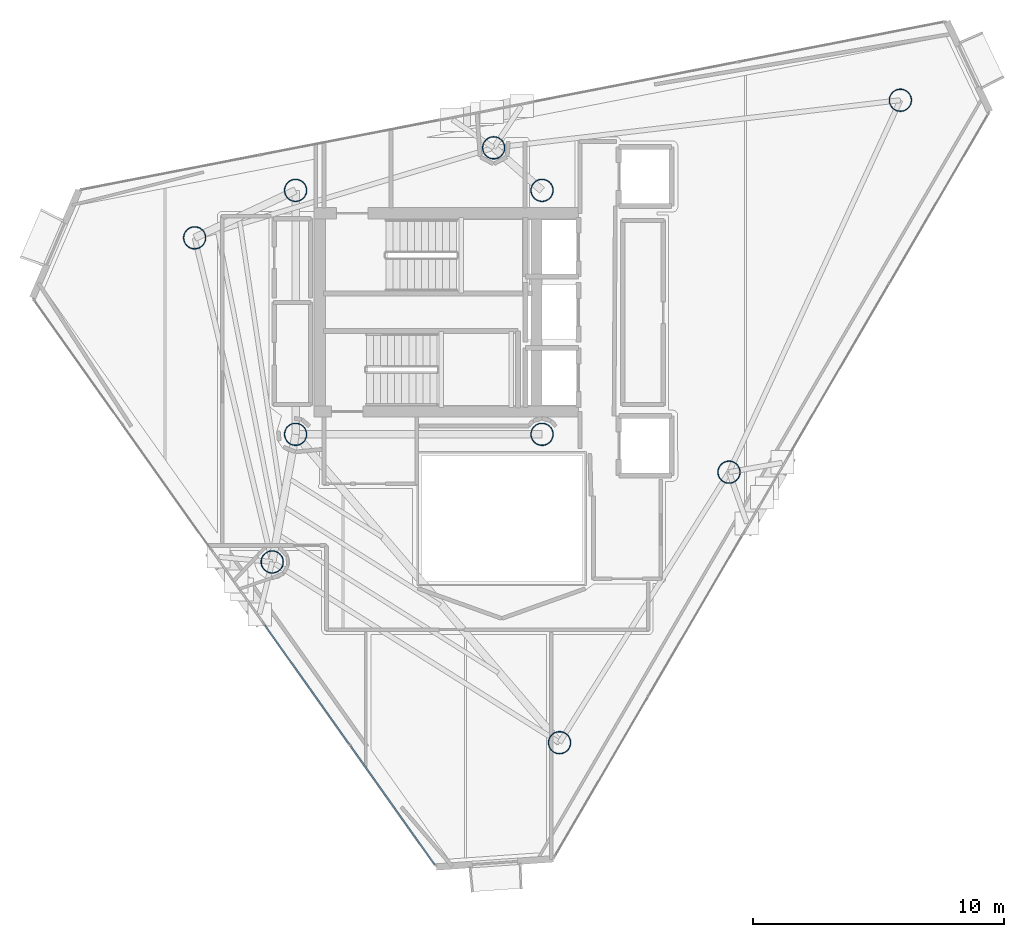
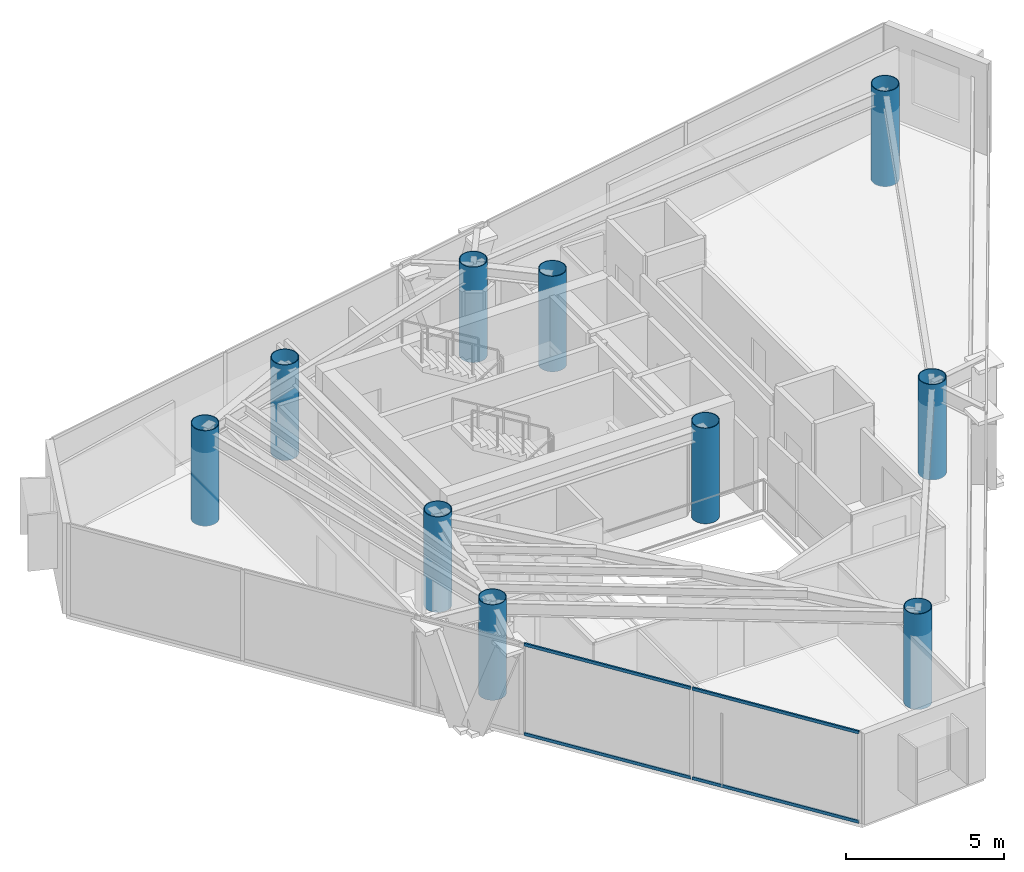
# One storey, part 1 of 22: 10 columns, 4 members, 1 element without a shape of its own.
"""IFC4 building model written with IfcOpenShell, lengths in metres."""

from ifc_helpers import new_model, si_unit, direction, frame, origin, origin_2d, place, context, subcontext, project, spatial, hollow_rectangle, hollow_circle, extrude, material, layer, layer_set, material_profile, profile_set, type_object, element, aggregate, save


model = new_model("IFC4")

# Units and contexts
model_context = context("Model", 3, precision=1e-05, world=origin(), true_north=direction((0.0, 1.0)))
body_context = subcontext(model_context, "Body", "Model", "MODEL_VIEW")
ifc_project = project(units=[si_unit("LENGTHUNIT", "METRE"), si_unit("AREAUNIT", "SQUARE_METRE"), si_unit("VOLUMEUNIT", "CUBIC_METRE"), si_unit("PLANEANGLEUNIT", "RADIAN"), si_unit("MASSUNIT", "GRAM", prefix="KILO")], contexts=[model_context])

# Site, building, storey
site_placement = place(None, origin())
site = spatial("IfcSite", under=ifc_project, at=site_placement, CompositionType="ELEMENT")
building_placement = place(site_placement, origin())
building = spatial("IfcBuilding", under=site, at=building_placement, Name="Qianvela Tower", CompositionType="ELEMENT")
storey_placement = place(building_placement, frame((0.0, 0.0, 299.10009765625)))
storey = spatial("IfcBuildingStorey", under=building, at=storey_placement, Name="L77", CompositionType="ELEMENT", Elevation=299.10009765625)

# Columns
ifc_material_1 = material(Name="Steel Q420GJC", Category="steel")
ifc_material_profile_1 = material_profile(ifc_material_1, hollow_circle(Radius=0.449951171875, WallThickness=0.02490234375, at=origin_2d()), Name="CFT-900x25")
ifc_profile_set_1 = profile_set([ifc_material_profile_1], Name="Steel Q420GJC")
column_type = type_object("IfcColumnType", Name="COL-CFT-900x25", PredefinedType="COLUMN", material=ifc_profile_set_1)
for number, where, z_axis, x_axis, name in (
    (1, (28.60009765625, 33.550048828125, 0.0), (0.0, 0.0, 1.0), (1.0, 0.0, 0.0), "L77 Core Corner Mega-Column CC-NW"),
    (2, (28.60009765625, 23.85009765625, 0.0), (0.0, 0.0, 1.0), (1.0, 0.0, 0.0), "L77 Core Corner Mega-Column CC-SW"),
    (3, (38.39990234375, 33.550048828125, 0.0), (0.0, 0.0, 1.0), (1.0, 0.0, 0.0), "L77 Core Corner Mega-Column CC-NE"),
    (4, (38.39990234375, 23.85009765625, 0.0), (0.0, 0.0, 1.0), (1.0, 0.0, 0.0), "L77 Core Corner Mega-Column CC-SE"),
    (5, (52.64794921875, 37.135009765625, 0.0), (0.0, 0.0, 1.0), (1.0, 0.0, 0.0), "L77 Zone Z7 CFT Mega-Column C1"),
    (6, (36.47607421875, 35.242919921875, 0.0), (0.0, 0.0, 1.0), (1.0, 0.0, 0.0), "L77 Zone Z7 CFT Mega-Column C2"),
    (7, (24.5869140625, 31.6630859375, 0.0), (0.0, 0.0, 1.0), (1.0, 0.0, 0.0), "L77 Zone Z7 CFT Mega-Column C3"),
    (8, (27.669921875, 18.77392578125, 0.0), (0.0, 0.0, 1.0), (1.0, 0.0, 0.0), "L77 Zone Z7 CFT Mega-Column C4"),
    (9, (39.095947265625, 11.587890625, 0.0), (0.0, 0.0, 1.0), (1.0, 0.0, 0.0), "L77 Zone Z7 CFT Mega-Column C5"),
    (10, (45.833984375, 22.344970703125, 0.0), (0.0, 0.0, 1.0), (1.0, 0.0, 0.0), "L77 Zone Z7 CFT Mega-Column C6"),
):
    element("IfcColumn", number, at=place(storey_placement, frame(where, z_axis=z_axis, x_axis=x_axis)), inside=storey, type_object=column_type, Name=name, PredefinedType="COLUMN", context=body_context, shape_type="SweptSolid", body=[
        extrude(hollow_circle(Radius=0.449951171875, WallThickness=0.02490234375, at=origin_2d()), origin(), (0.0, 0.0, 1.0), 3.699951171875),
    ])

# Curtain wall, members
ifc_material_2 = material(Name="Anodised Architectural Aluminium and Low-E Glass", Category="aluminium")
ifc_layer = layer(ifc_material_2, 0.14990234375)
ifc_layer_set = layer_set([ifc_layer], Name="Anodised Architectural Aluminium and Low-E Glass")
curtain_wall_type = type_object("IfcCurtainWallType", Name="CW-COLIV-Z78", PredefinedType="USERDEFINED", material=ifc_layer_set)
curtain_wall_placement = place(storey_placement, origin())
curtain_wall = element("IfcCurtainWall", 11, at=curtain_wall_placement, inside=storey, type_object=curtain_wall_type, Name="L77 CW-COLIV-Z78 Curtain Wall 04C", ObjectType="CURTAIN_WALL_SYSTEM", PredefinedType="USERDEFINED")
ifc_material_3 = material(Name="Anodised Architectural Aluminium 6063-T6", Category="aluminium")
ifc_material_profile_2 = material_profile(ifc_material_3, hollow_rectangle(XDim=0.06005859375, YDim=0.114990234375, WallThickness=0.00390625, at=origin_2d()), Name="ALU-TRAN-60x115")
ifc_profile_set_2 = profile_set([ifc_material_profile_2], Name="Anodised Architectural Aluminium 6063-T6")
member_type = type_object("IfcMemberType", Name="CW-COLIV-Z78-TRAN", PredefinedType="USERDEFINED", material=ifc_profile_set_2)
member_1_placement = place(storey_placement, frame((27.384033203125, 16.25537109375, 0.02978515625), z_axis=(0.578710025722, -0.815533387501, 0.0), x_axis=(0.815533387501, 0.578710025722, 0.0)))
member_1 = element("IfcMember", 12, at=member_1_placement, type_object=member_type, Name="CW-6 transom 1.1", ObjectType="TRANSOM", PredefinedType="USERDEFINED", context=body_context, shape_type="SweptSolid", body=[
    extrude(hollow_rectangle(XDim=0.06005859375, YDim=0.114990234375, WallThickness=0.00390625, at=origin_2d()), origin(), (0.0, 0.0, 1.0), 5.80712890625),
])
member_2_placement = place(storey_placement, frame((27.384033203125, 16.25537109375, 3.489990234375), z_axis=(0.578710025722, -0.815533387501, 0.0), x_axis=(0.815533387501, 0.578710025722, 0.0)))
member_2 = element("IfcMember", 13, at=member_2_placement, type_object=member_type, Name="CW-6 transom 1.2", ObjectType="TRANSOM", PredefinedType="USERDEFINED", context=body_context, shape_type="SweptSolid", body=[
    extrude(hollow_rectangle(XDim=0.06005859375, YDim=0.114990234375, WallThickness=0.00390625, at=origin_2d()), origin(), (0.0, 0.0, 1.0), 5.80712890625),
])
member_3_placement = place(storey_placement, frame((30.779541015625, 11.470458984375, 0.02978515625), z_axis=(0.578710025722, -0.815533387501, 0.0), x_axis=(0.815533387501, 0.578710025722, 0.0)))
member_3 = element("IfcMember", 14, at=member_3_placement, type_object=member_type, Name="CW-6 transom 2.1", ObjectType="TRANSOM", PredefinedType="USERDEFINED", context=body_context, shape_type="SweptSolid", body=[
    extrude(hollow_rectangle(XDim=0.06005859375, YDim=0.114990234375, WallThickness=0.00390625, at=origin_2d()), origin(), (0.0, 0.0, 1.0), 5.80712890625),
])
member_4_placement = place(storey_placement, frame((30.779541015625, 11.470458984375, 3.489990234375), z_axis=(0.578710025722, -0.815533387501, 0.0), x_axis=(0.815533387501, 0.578710025722, 0.0)))
member_4 = element("IfcMember", 15, at=member_4_placement, type_object=member_type, Name="CW-6 transom 2.2", ObjectType="TRANSOM", PredefinedType="USERDEFINED", context=body_context, shape_type="SweptSolid", body=[
    extrude(hollow_rectangle(XDim=0.06005859375, YDim=0.114990234375, WallThickness=0.00390625, at=origin_2d()), origin(), (0.0, 0.0, 1.0), 5.80712890625),
])
aggregate(curtain_wall, [member_1, member_2, member_3, member_4])

save(model, "model.ifc")
